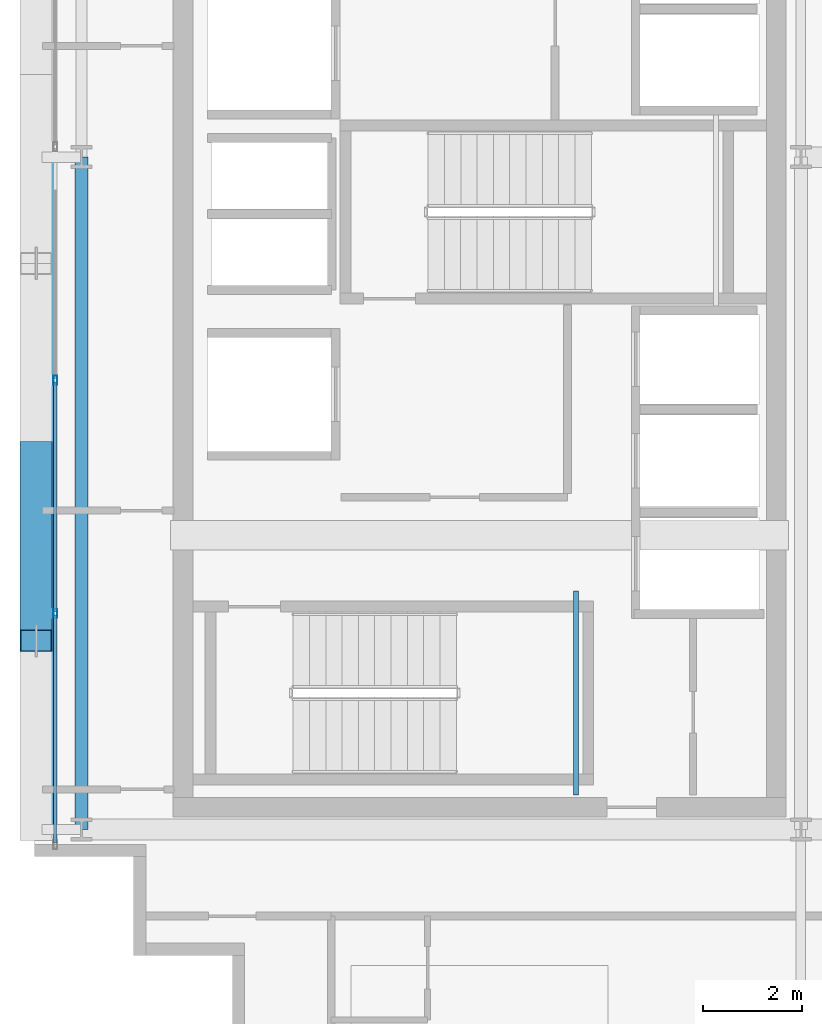
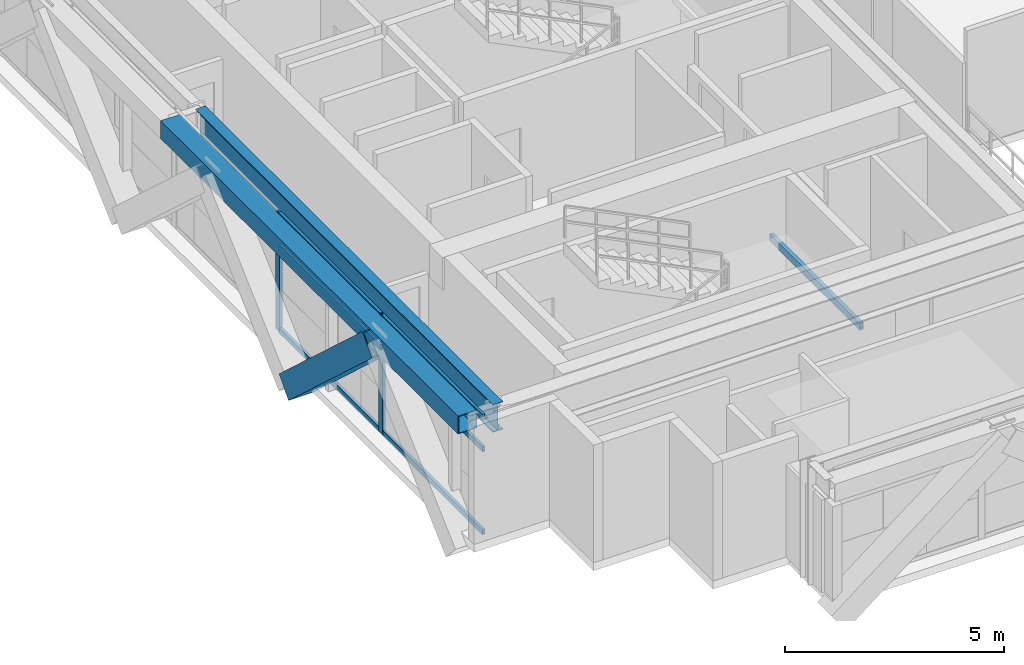
# One storey, part 3 of 28: 9 members, 3 beams, 1 element without a shape of its own.
"""IFC4 building model written with IfcOpenShell, lengths in metres."""

from ifc_helpers import new_model, si_unit, direction, frame, origin, origin_2d, place, context, subcontext, project, spatial, hollow_rectangle, i_section, extrude, source, transform, mapped, material, layer, layer_set, material_profile, profile_set, type_object, element, aggregate, save


model = new_model("IFC4")

# Units and contexts
model_context = context("Model", 3, precision=1e-05, world=origin(), true_north=direction((0.0, 1.0)))
body_context = subcontext(model_context, "Body", "Model", "MODEL_VIEW")
ifc_project = project(units=[si_unit("LENGTHUNIT", "METRE"), si_unit("AREAUNIT", "SQUARE_METRE"), si_unit("VOLUMEUNIT", "CUBIC_METRE"), si_unit("PLANEANGLEUNIT", "RADIAN"), si_unit("MASSUNIT", "GRAM", prefix="KILO")], contexts=[model_context])

# Site, building, storey
site_placement = place(None, origin())
site = spatial("IfcSite", under=ifc_project, at=site_placement, CompositionType="ELEMENT")
building_placement = place(site_placement, origin())
building = spatial("IfcBuilding", under=site, at=building_placement, Name="Ocotamira Hotel", CompositionType="ELEMENT")
storey_placement = place(building_placement, frame((0.0, 0.0, 243.60009765625)))
storey = spatial("IfcBuildingStorey", under=building, at=storey_placement, Name="L61", CompositionType="ELEMENT", Elevation=243.60009765625)

# Beams
ifc_material_1 = material(Name="Steel ASTM A500 Grade C", Category="steel")
ifc_material_profile_1 = material_profile(ifc_material_1, hollow_rectangle(XDim=0.10009765625, YDim=0.199951171875, WallThickness=0.008056640625, at=origin_2d()), Name="HSS200X100X8")
ifc_profile_set_1 = profile_set([ifc_material_profile_1], Name="Steel ASTM A500 Grade C")
beam_type_1 = type_object("IfcBeamType", Name="BM-STLDG-HSS200", PredefinedType="BEAM", material=ifc_profile_set_1)
shared_shape_1 = source(origin(), body_context, "Body", "SweptSolid", [
    extrude(hollow_rectangle(XDim=0.10009765625, YDim=0.199951171875, WallThickness=0.008056640625, at=origin_2d()), origin(), (0.0, 0.0, 1.0), 4.1201171875),
])
beam_1_placement = place(storey_placement, frame((18.949951171875, 15.25, 1.5), z_axis=(0.0, 1.0, 0.0), x_axis=(-1.0, 0.0, 0.0)))
element("IfcBeam", 1, at=beam_1_placement, inside=storey, type_object=beam_type_1, Name="L61 Stair ST-1 Landing Bearer 1", PredefinedType="BEAM", context=body_context, shape_type="MappedRepresentation", body=[
    mapped(shared_shape_1, transform((0.0, 0.0, 0.0), scale=1.0)),
])
ifc_material_2 = material(Name="Steel ASTM A992 Grade 50", Category="steel")
ifc_material_profile_2 = material_profile(ifc_material_2, i_section(OverallWidth=0.26611328125, OverallDepth=0.779052734375, WebThickness=0.0166015625, FlangeThickness=0.030029296875, FilletRadius=0.01806640625, at=origin_2d()), Name="W30X148")
ifc_profile_set_2 = profile_set([ifc_material_profile_2], Name="Steel ASTM A992 Grade 50")
beam_type_2 = type_object("IfcBeamType", Name="BM-GIRD-W30X148", PredefinedType="BEAM", material=ifc_profile_set_2)
shared_shape_2 = source(origin(), body_context, "Body", "SweptSolid", [
    extrude(i_section(OverallWidth=0.26611328125, OverallDepth=0.779052734375, WebThickness=0.0166015625, FlangeThickness=0.030029296875, FilletRadius=0.01806640625, at=origin_2d()), origin(), (0.0, 0.0, 1.0), 13.599853515625),
])
beam_2_placement = place(storey_placement, frame((8.949951171875, 14.550048828125, 2.890380859375), z_axis=(0.0, 1.0, 0.0), x_axis=(-1.0, 0.0, 0.0)))
element("IfcBeam", 2, at=beam_2_placement, inside=storey, type_object=beam_type_2, Name="L61 Beam X8.95 Y14.55-28.15", PredefinedType="BEAM", context=body_context, shape_type="MappedRepresentation", body=[
    mapped(shared_shape_2, transform((0.0, 0.0, 0.0), scale=1.0)),
])
ifc_material_profile_3 = material_profile(ifc_material_1, hollow_rectangle(XDim=0.5, YDim=0.5, WallThickness=0.02001953125, at=origin_2d()), Name="HSS500X500X20")
ifc_profile_set_3 = profile_set([ifc_material_profile_3], Name="Steel ASTM A500 Grade C")
beam_type_3 = type_object("IfcBeamType", Name="BM-SPAN-HSS500", PredefinedType="USERDEFINED", material=ifc_profile_set_3)
shared_shape_3 = source(origin(), body_context, "Body", "SweptSolid", [
    extrude(hollow_rectangle(XDim=0.5, YDim=0.5, WallThickness=0.02001953125, at=origin_2d()), origin(), (0.0, 0.0, 1.0), 13.599853515625),
])
beam_3_placement = place(storey_placement, frame((8.14990234375, 14.550048828125, 3.02978515625), z_axis=(0.0, 1.0, 0.0), x_axis=(-1.0, 0.0, 0.0)))
element("IfcBeam", 3, at=beam_3_placement, inside=storey, type_object=beam_type_3, Name="L61 Edge Spandrel W Y14.55-28.15", ObjectType="SPANDREL", PredefinedType="USERDEFINED", context=body_context, shape_type="MappedRepresentation", body=[
    mapped(shared_shape_3, transform((0.0, 0.0, 0.0), scale=1.0)),
])

# Member
ifc_material_3 = material(Name="Pale-metal coated steel ASTM A913 Grade 65", Category="steel")
ifc_material_profile_4 = material_profile(ifc_material_3, hollow_rectangle(XDim=0.64990234375, YDim=0.64990234375, WallThickness=0.02197265625, at=origin_2d()), Name="BOX650X650X22")
ifc_profile_set_4 = profile_set([ifc_material_profile_4], Name="Pale-metal coated steel ASTM A913 Grade 65")
member_type_1 = type_object("IfcMemberType", Name="MEM-EXO-BOX650", PredefinedType="BRACE", material=ifc_profile_set_4)
shared_shape_4 = source(origin(), body_context, "Body", "SweptSolid", [
    extrude(hollow_rectangle(XDim=0.64990234375, YDim=0.64990234375, WallThickness=0.02197265625, at=origin_2d()), origin(), (0.0, 0.0, 1.0), 5.178466796875),
])
member_1_placement = place(storey_placement, frame((8.030029296875, 22.183349609375, -0.47021484375), z_axis=(0.0, -0.737019094846, 0.675871921174), x_axis=(1.0, 0.0, 0.0)))
element("IfcMember", 4, at=member_1_placement, inside=storey, type_object=member_type_1, Name="L61 Exoskeleton Diagrid W0.2", PredefinedType="BRACE", context=body_context, shape_type="MappedRepresentation", body=[
    mapped(shared_shape_4, transform((0.0, 0.0, 0.0), scale=1.0)),
])

# Curtain wall, members
ifc_material_4 = material(Name="Anodised pale-metal aluminium and solar glass", Category="aluminium")
ifc_layer = layer(ifc_material_4, 0.239990234375)
ifc_layer_set = layer_set([ifc_layer], Name="Anodised pale-metal aluminium and solar glass")
curtain_wall_type = type_object("IfcCurtainWallType", Name="CW-SYS5-SKY", PredefinedType="NOTDEFINED", material=ifc_layer_set)
curtain_wall_placement = place(storey_placement, origin())
curtain_wall = element("IfcCurtainWall", 5, at=curtain_wall_placement, inside=storey, type_object=curtain_wall_type, Name="L61 Curtain Wall CW-5 CW-L61-W", PredefinedType="NOTDEFINED")
ifc_material_5 = material(Name="Anodised pale-metal aluminium 6063-T6", Category="aluminium")
ifc_material_profile_5 = material_profile(ifc_material_5, hollow_rectangle(XDim=0.080078125, YDim=0.179931640625, WallThickness=0.006103515625, at=origin_2d()), Name="HSS180X80X6")
ifc_profile_set_5 = profile_set([ifc_material_profile_5], Name="Anodised pale-metal aluminium 6063-T6")
member_type_2 = type_object("IfcMemberType", Name="CWM-180X75", PredefinedType="MULLION", material=ifc_profile_set_5)
shared_shape_5 = source(origin(), body_context, "Body", "SweptSolid", [
    extrude(hollow_rectangle(XDim=0.080078125, YDim=0.179931640625, WallThickness=0.006103515625, at=origin_2d()), origin(), (0.0, 0.0, 1.0), 3.27978515625),
])
member_2_placement = place(storey_placement, frame((8.419921875, 18.919921875, 0.0), z_axis=(0.0, 0.0, 1.0), x_axis=(-1.0, 0.0, 0.0)))
member_2 = element("IfcMember", 6, at=member_2_placement, type_object=member_type_2, Name="CW-5 mullion 2", PredefinedType="MULLION", context=body_context, shape_type="MappedRepresentation", body=[
    mapped(shared_shape_5, transform((0.0, 0.0, 0.0), scale=1.0)),
])
member_3_placement = place(storey_placement, frame((8.419921875, 23.639892578125, 0.0), z_axis=(0.0, 0.0, 1.0), x_axis=(-1.0, 0.0, 0.0)))
member_3 = element("IfcMember", 7, at=member_3_placement, type_object=member_type_2, Name="CW-5 mullion 3", PredefinedType="MULLION", context=body_context, shape_type="MappedRepresentation", body=[
    mapped(shared_shape_5, transform((0.0, 0.0, 0.0), scale=1.0)),
])
ifc_material_profile_6 = material_profile(ifc_material_5, hollow_rectangle(XDim=0.074951171875, YDim=0.14990234375, WallThickness=0.006103515625, at=origin_2d()), Name="HSS150X75X6")
ifc_profile_set_6 = profile_set([ifc_material_profile_6], Name="Anodised pale-metal aluminium 6063-T6")
member_type_3 = type_object("IfcMemberType", Name="CWT-150X75", PredefinedType="USERDEFINED", material=ifc_profile_set_6)
shared_shape_6 = source(origin(), body_context, "Body", "SweptSolid", [
    extrude(hollow_rectangle(XDim=0.074951171875, YDim=0.14990234375, WallThickness=0.006103515625, at=origin_2d()), origin(), (0.0, 0.0, 1.0), 4.599853515625),
])
member_4_placement = place(storey_placement, frame((8.419921875, 14.280029296875, 0.037353515625), z_axis=(0.0, 1.0, 0.0), x_axis=(-1.0, 0.0, 0.0)))
member_4 = element("IfcMember", 8, at=member_4_placement, type_object=member_type_3, Name="CW-5 transom 1.1", ObjectType="TRANSOM", PredefinedType="USERDEFINED", context=body_context, shape_type="MappedRepresentation", body=[
    mapped(shared_shape_6, transform((0.0, 0.0, 0.0), scale=1.0)),
])
member_5_placement = place(storey_placement, frame((8.419921875, 14.280029296875, 2.349853515625), z_axis=(0.0, 1.0, 0.0), x_axis=(-1.0, 0.0, 0.0)))
member_5 = element("IfcMember", 9, at=member_5_placement, type_object=member_type_3, Name="CW-5 transom 1.2", ObjectType="TRANSOM", PredefinedType="USERDEFINED", context=body_context, shape_type="MappedRepresentation", body=[
    mapped(shared_shape_6, transform((0.0, 0.0, 0.0), scale=1.0)),
])
member_6_placement = place(storey_placement, frame((8.419921875, 14.280029296875, 3.242431640625), z_axis=(0.0, 1.0, 0.0), x_axis=(-1.0, 0.0, 0.0)))
member_6 = element("IfcMember", 10, at=member_6_placement, type_object=member_type_3, Name="CW-5 transom 1.3", ObjectType="TRANSOM", PredefinedType="USERDEFINED", context=body_context, shape_type="MappedRepresentation", body=[
    mapped(shared_shape_6, transform((0.0, 0.0, 0.0), scale=1.0)),
])
shared_shape_7 = source(origin(), body_context, "Body", "SweptSolid", [
    extrude(hollow_rectangle(XDim=0.074951171875, YDim=0.14990234375, WallThickness=0.006103515625, at=origin_2d()), origin(), (0.0, 0.0, 1.0), 4.64013671875),
])
member_7_placement = place(storey_placement, frame((8.419921875, 18.9599609375, 0.037353515625), z_axis=(0.0, 1.0, 0.0), x_axis=(-1.0, 0.0, 0.0)))
member_7 = element("IfcMember", 11, at=member_7_placement, type_object=member_type_3, Name="CW-5 transom 2.1", ObjectType="TRANSOM", PredefinedType="USERDEFINED", context=body_context, shape_type="MappedRepresentation", body=[
    mapped(shared_shape_7, transform((0.0, 0.0, 0.0), scale=1.0)),
])
member_8_placement = place(storey_placement, frame((8.419921875, 18.9599609375, 2.349853515625), z_axis=(0.0, 1.0, 0.0), x_axis=(-1.0, 0.0, 0.0)))
member_8 = element("IfcMember", 12, at=member_8_placement, type_object=member_type_3, Name="CW-5 transom 2.2", ObjectType="TRANSOM", PredefinedType="USERDEFINED", context=body_context, shape_type="MappedRepresentation", body=[
    mapped(shared_shape_7, transform((0.0, 0.0, 0.0), scale=1.0)),
])
member_9_placement = place(storey_placement, frame((8.419921875, 18.9599609375, 3.242431640625), z_axis=(0.0, 1.0, 0.0), x_axis=(-1.0, 0.0, 0.0)))
member_9 = element("IfcMember", 13, at=member_9_placement, type_object=member_type_3, Name="CW-5 transom 2.3", ObjectType="TRANSOM", PredefinedType="USERDEFINED", context=body_context, shape_type="MappedRepresentation", body=[
    mapped(shared_shape_7, transform((0.0, 0.0, 0.0), scale=1.0)),
])
aggregate(curtain_wall, [member_2, member_3, member_4, member_5, member_6, member_7, member_8, member_9])

save(model, "model.ifc")
